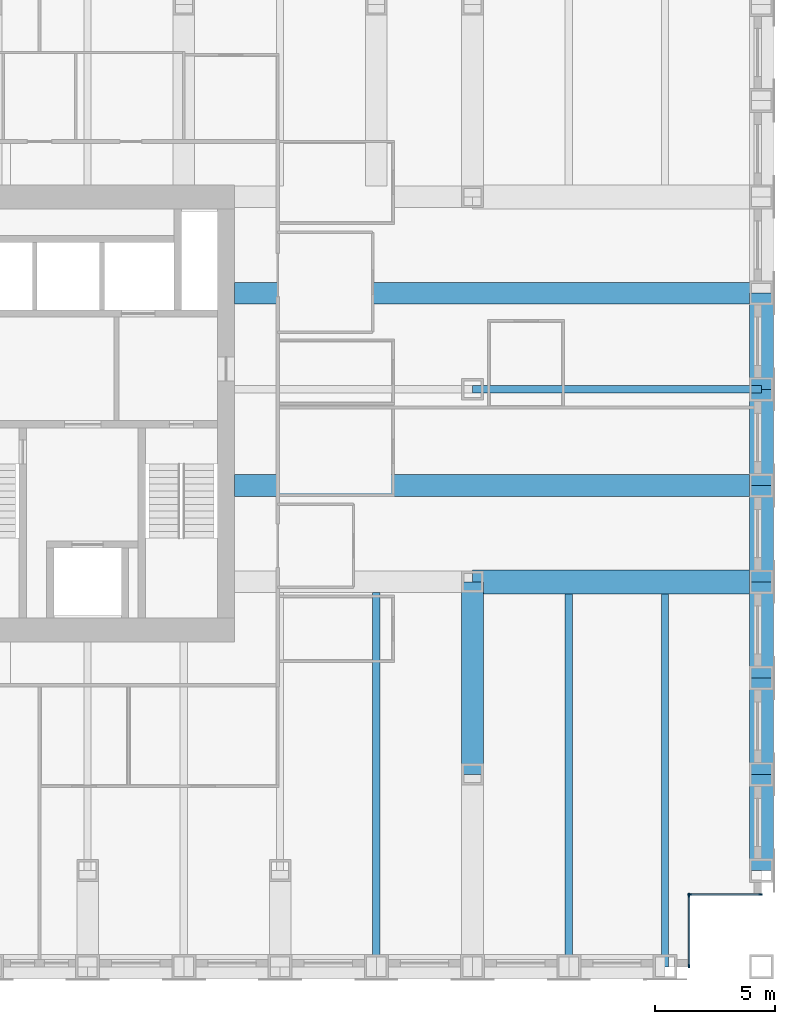
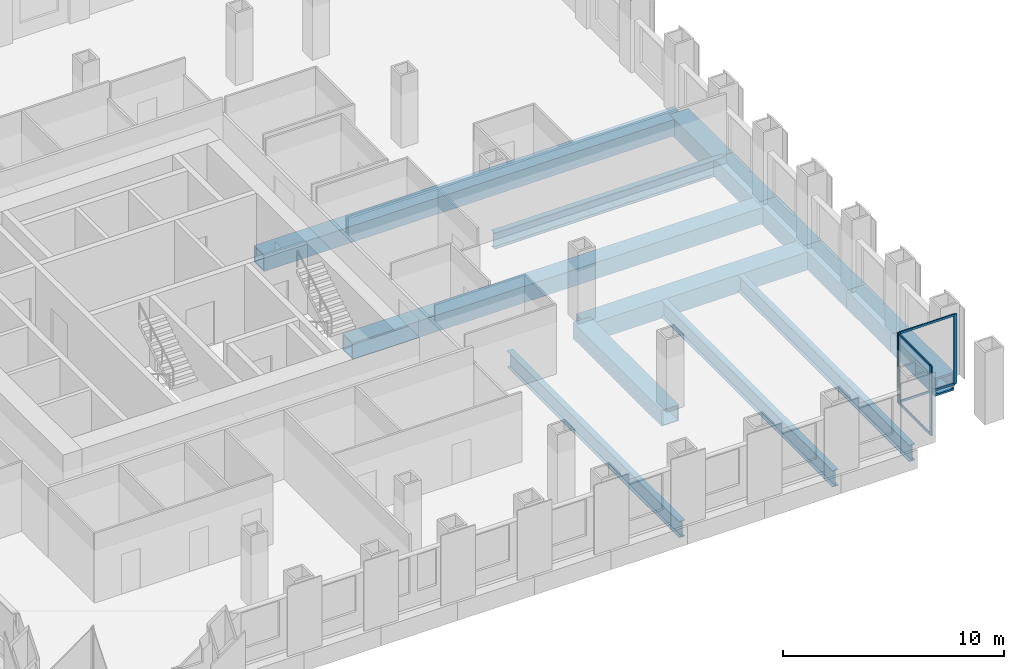
# One storey, part 4 of 16: 14 beams, 8 members, 2 elements without a shape of their own.
"""IFC4 building model written with IfcOpenShell, lengths in metres."""

from ifc_helpers import new_model, si_unit, direction, frame, origin, origin_2d, place, context, subcontext, project, spatial, rectangle, hollow_rectangle, i_section, extrude, material, material_profile, profile_set, type_object, element, aggregate, save


model = new_model("IFC4")

# Units and contexts
model_context = context("Model", 3, precision=1e-05, world=origin(), true_north=direction((0.0, 1.0)))
body_context = subcontext(model_context, "Body", "Model", "MODEL_VIEW")
ifc_project = project(units=[si_unit("LENGTHUNIT", "METRE"), si_unit("AREAUNIT", "SQUARE_METRE"), si_unit("VOLUMEUNIT", "CUBIC_METRE"), si_unit("PLANEANGLEUNIT", "RADIAN"), si_unit("MASSUNIT", "GRAM", prefix="KILO")], contexts=[model_context])

# Site, building, storey
site_placement = place(None, origin())
site = spatial("IfcSite", under=ifc_project, at=site_placement, CompositionType="ELEMENT")
building_placement = place(site_placement, origin())
building = spatial("IfcBuilding", under=site, at=building_placement, Name="Rimbunsela Tower", CompositionType="ELEMENT")
storey_placement = place(building_placement, frame((0.0, 0.0, 125.39990234375)))
storey = spatial("IfcBuildingStorey", under=building, at=storey_placement, Name="L30", CompositionType="ELEMENT", Elevation=125.39990234375)

# Beams
ifc_material_1 = material(Name="Steel BJ 55 (fy 410 MPa)", Category="steel")
ifc_material_profile_1 = material_profile(ifc_material_1, hollow_rectangle(XDim=1.0, YDim=1.0, WallThickness=0.10009765625, at=origin_2d()), Name="BOX 1000x1000x100")
ifc_profile_set_1 = profile_set([ifc_material_profile_1], Name="Steel BJ 55 (fy 410 MPa)")
beam_type_1 = type_object("IfcBeamType", Name="Beam BOX 1000x1000x100", PredefinedType="BEAM", material=ifc_profile_set_1)
beam_1_placement = place(storey_placement, frame((46.0, 20.0, -0.64990234375), z_axis=(1.0, 0.0, 0.0), x_axis=(0.0, 1.0, 0.0)))
element("IfcBeam", 1, at=beam_1_placement, inside=storey, type_object=beam_type_1, Name="Beam B3 L30", PredefinedType="BEAM", context=body_context, shape_type="SweptSolid", body=[
    extrude(hollow_rectangle(XDim=1.0, YDim=1.0, WallThickness=0.10009765625, at=origin_2d()), origin(), (0.0, 0.0, 1.0), 12.0),
])
for number, where, z_axis, x_axis, name in (
    (2, (58.0, 8.0, -0.64990234375), (0.0, 1.0, 0.0), (-1.0, 0.0, 0.0), "Beam B3 L30"),
    (3, (58.0, 12.0, -0.64990234375), (0.0, 1.0, 0.0), (-1.0, 0.0, 0.0), "Beam B3 L30"),
    (4, (58.0, 16.0, -0.64990234375), (0.0, 1.0, 0.0), (-1.0, 0.0, 0.0), "Beam B3 L30"),
    (5, (58.0, 20.0, -0.64990234375), (0.0, 1.0, 0.0), (-1.0, 0.0, 0.0), "Beam B3 L30"),
    (6, (58.0, 24.0, -0.64990234375), (0.0, 1.0, 0.0), (-1.0, 0.0, 0.0), "Beam B3 L30"),
    (7, (58.0, 28.0, -0.64990234375), (0.0, 1.0, 0.0), (-1.0, 0.0, 0.0), "Beam B3 L30"),
):
    element("IfcBeam", number, at=place(storey_placement, frame(where, z_axis=z_axis, x_axis=x_axis)), inside=storey, type_object=beam_type_1, Name=name, PredefinedType="BEAM", context=body_context, shape_type="SweptSolid", body=[
        extrude(hollow_rectangle(XDim=1.0, YDim=1.0, WallThickness=0.10009765625, at=origin_2d()), origin(), (0.0, 0.0, 1.0), 4.0),
    ])
ifc_material_2 = material(Name="Steel BJ 55 (fy 410 MPa)", Category="steel")
ifc_material_profile_2 = material_profile(ifc_material_2, hollow_rectangle(XDim=0.89990234375, YDim=0.89990234375, WallThickness=0.06005859375, at=origin_2d()), Name="BOX 900x900x60")
ifc_profile_set_2 = profile_set([ifc_material_profile_2], Name="Steel BJ 55 (fy 410 MPa)")
beam_type_2 = type_object("IfcBeamType", Name="Beam BOX 900x900x60", PredefinedType="BEAM", material=ifc_profile_set_2)
for number, where, z_axis, x_axis, name in (
    (8, (36.10009765625, 24.0, -0.599853515625), (1.0, 0.0, 0.0), (0.0, 1.0, 0.0), "Beam B1 L30"),
    (9, (36.10009765625, 32.0, -0.599853515625), (1.0, 0.0, 0.0), (0.0, 1.0, 0.0), "Beam B1 L30"),
):
    element("IfcBeam", number, at=place(storey_placement, frame(where, z_axis=z_axis, x_axis=x_axis)), inside=storey, type_object=beam_type_2, Name=name, PredefinedType="BEAM", context=body_context, shape_type="SweptSolid", body=[
        extrude(hollow_rectangle(XDim=0.89990234375, YDim=0.89990234375, WallThickness=0.06005859375, at=origin_2d()), origin(), (0.0, 0.0, 1.0), 21.89990234375),
    ])
beam_2_placement = place(storey_placement, frame((46.0, 12.0, -0.599853515625), z_axis=(0.0, 1.0, 0.0), x_axis=(-1.0, 0.0, 0.0)))
element("IfcBeam", 10, at=beam_2_placement, inside=storey, type_object=beam_type_2, Name="Beam B1 L30", PredefinedType="BEAM", context=body_context, shape_type="SweptSolid", body=[
    extrude(hollow_rectangle(XDim=0.89990234375, YDim=0.89990234375, WallThickness=0.06005859375, at=origin_2d()), origin(), (0.0, 0.0, 1.0), 8.0),
])
ifc_material_3 = material(Name="Steel BJ 55 (fy 410 MPa)", Category="steel")
ifc_material_profile_3 = material_profile(ifc_material_3, i_section(OverallWidth=0.300048828125, OverallDepth=0.89990234375, WebThickness=0.01611328125, FlangeThickness=0.028076171875, FilletRadius=0.028076171875, at=origin_2d()), Name="H 900x300x16x28")
ifc_profile_set_3 = profile_set([ifc_material_profile_3], Name="Steel BJ 55 (fy 410 MPa)")
beam_type_3 = type_object("IfcBeamType", Name="Beam H 900x300x16x28", PredefinedType="BEAM", material=ifc_profile_set_3)
beam_3_placement = place(storey_placement, frame((42.0, 4.0, -0.599853515625), z_axis=(0.0, 1.0, 0.0), x_axis=(-1.0, 0.0, 0.0)))
element("IfcBeam", 11, at=beam_3_placement, inside=storey, type_object=beam_type_3, Name="Beam B2 L30", PredefinedType="BEAM", context=body_context, shape_type="SweptSolid", body=[
    extrude(i_section(OverallWidth=0.300048828125, OverallDepth=0.89990234375, WebThickness=0.01611328125, FlangeThickness=0.028076171875, FilletRadius=0.028076171875, at=origin_2d()), origin(), (0.0, 0.0, 1.0), 15.550048828125),
])
beam_4_placement = place(storey_placement, frame((46.0, 28.0, -0.599853515625), z_axis=(1.0, 0.0, 0.0), x_axis=(0.0, 1.0, 0.0)))
element("IfcBeam", 12, at=beam_4_placement, inside=storey, type_object=beam_type_3, Name="Beam B2 L30", PredefinedType="BEAM", context=body_context, shape_type="SweptSolid", body=[
    extrude(i_section(OverallWidth=0.300048828125, OverallDepth=0.89990234375, WebThickness=0.01611328125, FlangeThickness=0.028076171875, FilletRadius=0.028076171875, at=origin_2d()), origin(), (0.0, 0.0, 1.0), 12.0),
])
for number, where, z_axis, x_axis, name in (
    (13, (50.0, 4.0, -0.599853515625), (0.0, 1.0, 0.0), (-1.0, 0.0, 0.0), "Beam B2 L30"),
    (14, (54.0, 4.0, -0.599853515625), (0.0, 1.0, 0.0), (-1.0, 0.0, 0.0), "Beam B2 L30"),
):
    element("IfcBeam", number, at=place(storey_placement, frame(where, z_axis=z_axis, x_axis=x_axis)), inside=storey, type_object=beam_type_3, Name=name, PredefinedType="BEAM", context=body_context, shape_type="SweptSolid", body=[
        extrude(i_section(OverallWidth=0.300048828125, OverallDepth=0.89990234375, WebThickness=0.01611328125, FlangeThickness=0.028076171875, FilletRadius=0.028076171875, at=origin_2d()), origin(), (0.0, 0.0, 1.0), 15.5),
    ])

# Curtain wall, members
ifc_material_4 = material(Name="Aluminium curtain wall", Category="aluminium")
curtain_wall_type = type_object("IfcCurtainWallType", Name="Corner glazing", PredefinedType="USERDEFINED", material=ifc_material_4)
curtain_wall_1_placement = place(storey_placement, origin())
curtain_wall_1 = element("IfcCurtainWall", 15, at=curtain_wall_1_placement, inside=storey, type_object=curtain_wall_type, Name="Corner glazing L30", ObjectType="CORNER GLAZING", PredefinedType="USERDEFINED")
ifc_material_5 = material(Name="Aluminium mullion", Category="aluminium")
ifc_material_profile_4 = material_profile(ifc_material_5, rectangle(XDim=0.06005859375, YDim=0.159912109375, at=origin_2d()), Name="Mullion 60x160")
ifc_profile_set_4 = profile_set([ifc_material_profile_4], Name="Aluminium mullion")
member_type_1 = type_object("IfcMemberType", Name="Curtain wall mullion 60x160", PredefinedType="MULLION", material=ifc_profile_set_4)
member_1_placement = place(storey_placement, frame((55.0, 4.030029296875, 0.0), z_axis=(0.0, 0.0, 1.0), x_axis=(-1.0, 0.0, 0.0)))
member_1 = element("IfcMember", 16, at=member_1_placement, type_object=member_type_1, Name="CW5 mullion 1", PredefinedType="MULLION", context=body_context, shape_type="SweptSolid", body=[
    extrude(rectangle(XDim=0.06005859375, YDim=0.159912109375, at=origin_2d()), origin(), (0.0, 0.0, 1.0), 3.85009765625),
])
member_2_placement = place(storey_placement, frame((55.0, 6.969970703125, 0.0), z_axis=(0.0, 0.0, 1.0), x_axis=(-1.0, 0.0, 0.0)))
member_2 = element("IfcMember", 17, at=member_2_placement, type_object=member_type_1, Name="CW5 mullion 2", PredefinedType="MULLION", context=body_context, shape_type="SweptSolid", body=[
    extrude(rectangle(XDim=0.06005859375, YDim=0.159912109375, at=origin_2d()), origin(), (0.0, 0.0, 1.0), 3.85009765625),
])

curtain_wall_2_placement = place(storey_placement, origin())
curtain_wall_2 = element("IfcCurtainWall", 18, at=curtain_wall_2_placement, inside=storey, type_object=curtain_wall_type, Name="Corner glazing L30", ObjectType="CORNER GLAZING", PredefinedType="USERDEFINED")
member_3_placement = place(storey_placement, frame((55.030029296875, 7.0, 0.0), z_axis=(0.0, 0.0, 1.0), x_axis=(0.0, 1.0, 0.0)))
member_3 = element("IfcMember", 19, at=member_3_placement, type_object=member_type_1, Name="CW5 mullion 1", PredefinedType="MULLION", context=body_context, shape_type="SweptSolid", body=[
    extrude(rectangle(XDim=0.06005859375, YDim=0.159912109375, at=origin_2d()), origin(), (0.0, 0.0, 1.0), 3.85009765625),
])
member_4_placement = place(storey_placement, frame((57.969970703125, 7.0, 0.0), z_axis=(0.0, 0.0, 1.0), x_axis=(0.0, 1.0, 0.0)))
member_4 = element("IfcMember", 20, at=member_4_placement, type_object=member_type_1, Name="CW5 mullion 2", PredefinedType="MULLION", context=body_context, shape_type="SweptSolid", body=[
    extrude(rectangle(XDim=0.06005859375, YDim=0.159912109375, at=origin_2d()), origin(), (0.0, 0.0, 1.0), 3.85009765625),
])

# Member
ifc_material_6 = material(Name="Aluminium transom", Category="aluminium")
ifc_material_profile_5 = material_profile(ifc_material_6, rectangle(XDim=0.06005859375, YDim=0.1201171875, at=origin_2d()), Name="Transom 60x120")
ifc_profile_set_5 = profile_set([ifc_material_profile_5], Name="Aluminium transom")
member_type_2 = type_object("IfcMemberType", Name="Curtain wall transom 60x120", PredefinedType="USERDEFINED", material=ifc_profile_set_5)
member_5_placement = place(storey_placement, frame((55.0, 4.06005859375, 0.030029296875), z_axis=(0.0, 1.0, 0.0), x_axis=(-1.0, 0.0, 0.0)))
member_5 = element("IfcMember", 21, at=member_5_placement, type_object=member_type_2, Name="CW5 transom 1.1", ObjectType="TRANSOM", PredefinedType="USERDEFINED", context=body_context, shape_type="SweptSolid", body=[
    extrude(rectangle(XDim=0.06005859375, YDim=0.1201171875, at=origin_2d()), origin(), (0.0, 0.0, 1.0), 2.8798828125),
])

member_6_placement = place(storey_placement, frame((55.0, 4.06005859375, 3.820068359375), z_axis=(0.0, 1.0, 0.0), x_axis=(-1.0, 0.0, 0.0)))
member_6 = element("IfcMember", 22, at=member_6_placement, type_object=member_type_2, Name="CW5 transom 1.2", ObjectType="TRANSOM", PredefinedType="USERDEFINED", context=body_context, shape_type="SweptSolid", body=[
    extrude(rectangle(XDim=0.06005859375, YDim=0.1201171875, at=origin_2d()), origin(), (0.0, 0.0, 1.0), 2.8798828125),
])

aggregate(curtain_wall_1, [member_1, member_2, member_5, member_6])

member_7_placement = place(storey_placement, frame((55.06005859375, 7.0, 0.030029296875), z_axis=(1.0, 0.0, 0.0), x_axis=(0.0, 1.0, 0.0)))
member_7 = element("IfcMember", 23, at=member_7_placement, type_object=member_type_2, Name="CW5 transom 1.1", ObjectType="TRANSOM", PredefinedType="USERDEFINED", context=body_context, shape_type="SweptSolid", body=[
    extrude(rectangle(XDim=0.06005859375, YDim=0.1201171875, at=origin_2d()), origin(), (0.0, 0.0, 1.0), 2.8798828125),
])

member_8_placement = place(storey_placement, frame((55.06005859375, 7.0, 3.820068359375), z_axis=(1.0, 0.0, 0.0), x_axis=(0.0, 1.0, 0.0)))
member_8 = element("IfcMember", 24, at=member_8_placement, type_object=member_type_2, Name="CW5 transom 1.2", ObjectType="TRANSOM", PredefinedType="USERDEFINED", context=body_context, shape_type="SweptSolid", body=[
    extrude(rectangle(XDim=0.06005859375, YDim=0.1201171875, at=origin_2d()), origin(), (0.0, 0.0, 1.0), 2.8798828125),
])

aggregate(curtain_wall_2, [member_3, member_4, member_7, member_8])

save(model, "model.ifc")
